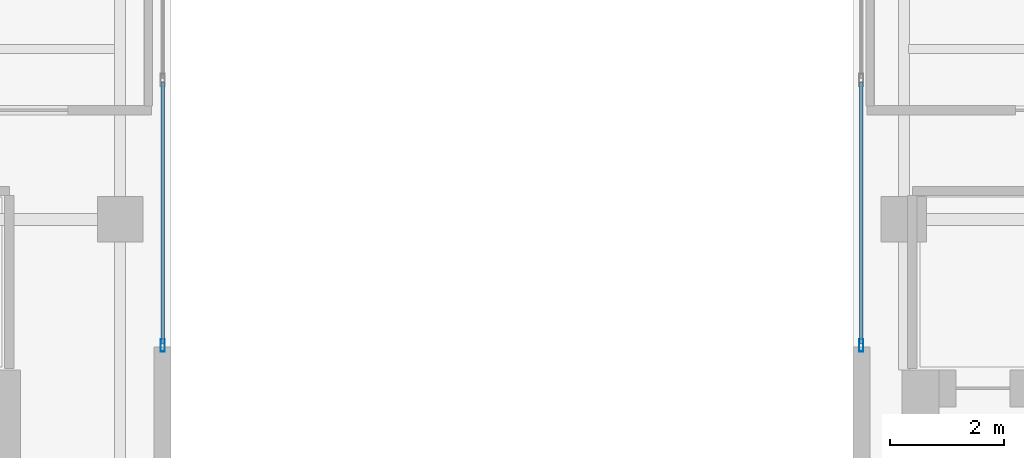
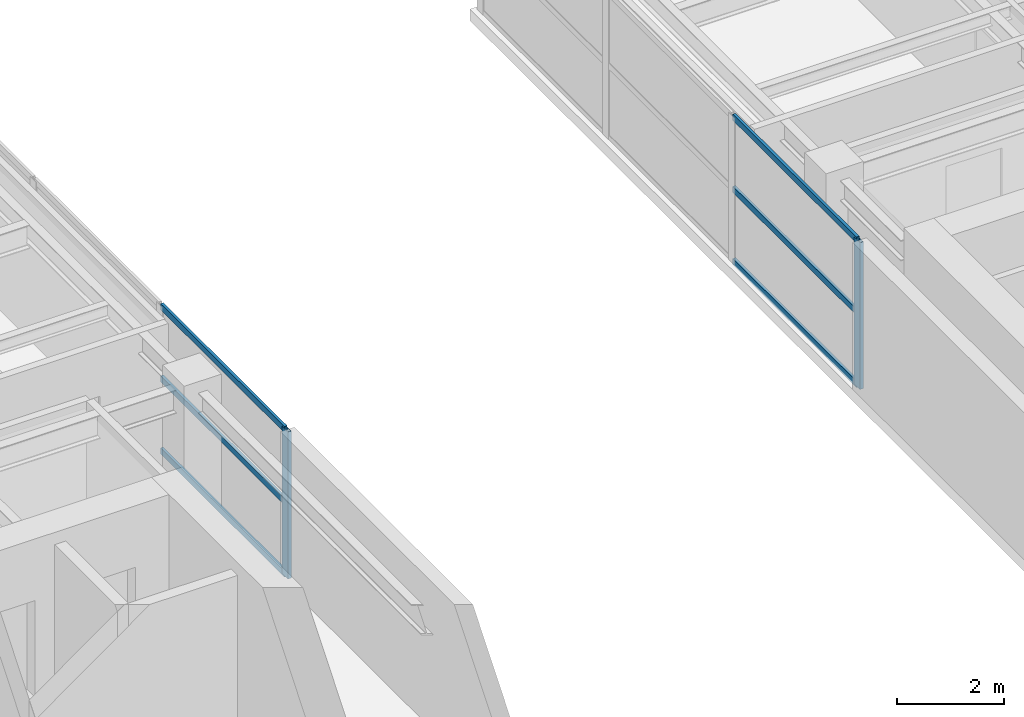
# One storey, part 9 of 22: 8 members, 2 elements without a shape of their own.
"""IFC4 building model written with IfcOpenShell, lengths in metres."""

from ifc_helpers import new_model, si_unit, direction, frame, origin, origin_2d, place, context, subcontext, project, spatial, hollow_rectangle, extrude, source, transform, mapped, material, layer, layer_set, material_profile, profile_set, type_object, element, aggregate, save


model = new_model("IFC4")

# Units and contexts
model_context = context("Model", 3, precision=1e-05, world=origin(), true_north=direction((0.0, 1.0)))
body_context = subcontext(model_context, "Body", "Model", "MODEL_VIEW")
ifc_project = project(units=[si_unit("LENGTHUNIT", "METRE"), si_unit("AREAUNIT", "SQUARE_METRE"), si_unit("VOLUMEUNIT", "CUBIC_METRE"), si_unit("PLANEANGLEUNIT", "RADIAN"), si_unit("MASSUNIT", "GRAM", prefix="KILO")], contexts=[model_context])

# Site, building, storey
site_placement = place(None, origin())
site = spatial("IfcSite", under=ifc_project, at=site_placement, CompositionType="ELEMENT")
building_placement = place(site_placement, origin())
building = spatial("IfcBuilding", under=site, at=building_placement, Name="Khoralis Quay Care Tower", CompositionType="ELEMENT")
storey_placement = place(building_placement, frame((0.0, 0.0, 188.10009765625)))
storey = spatial("IfcBuildingStorey", under=building, at=storey_placement, Name="L49", CompositionType="ELEMENT", Elevation=188.10009765625)

# Curtain wall, members
ifc_material = material(Name="Pale anodised aluminium", Category="aluminium")
ifc_layer = layer(ifc_material, 0.18994140625)
ifc_layer_set = layer_set([ifc_layer], Name="Pale anodised aluminium")
curtain_wall_type = type_object("IfcCurtainWallType", Name="CW-SYS-PORTAL", PredefinedType="NOTDEFINED", material=ifc_layer_set)
curtain_wall_1_placement = place(storey_placement, origin())
curtain_wall_1 = element("IfcCurtainWall", 1, at=curtain_wall_1_placement, inside=storey, type_object=curtain_wall_type, Name="L49 Unitised Curtain Wall CW-VP-L49-P1-N", PredefinedType="NOTDEFINED")
ifc_material_profile_1 = material_profile(ifc_material, hollow_rectangle(XDim=0.06005859375, YDim=0.139892578125, WallThickness=0.00390625, at=origin_2d()), Name="Pale anodised aluminium")
ifc_profile_set_1 = profile_set([ifc_material_profile_1], Name="Pale anodised aluminium")
member_type_1 = type_object("IfcMemberType", Name="CW-TRN-140", PredefinedType="USERDEFINED", material=ifc_profile_set_1)
shared_shape_1 = source(origin(), body_context, "Body", "SweptSolid", [
    extrude(hollow_rectangle(XDim=0.06005859375, YDim=0.139892578125, WallThickness=0.00390625, at=origin_2d()), origin(), (0.0, 0.0, 1.0), 4.60986328125),
])
member_1_placement = place(storey_placement, frame((17.85009765625, 27.81005859375, 0.02978515625), z_axis=(0.0, 1.0, 0.0), x_axis=(-1.0, 0.0, 0.0)))
member_1 = element("IfcMember", 2, at=member_1_placement, type_object=member_type_1, Name="CW4 transom 1.1", ObjectType="TRANSOM", PredefinedType="USERDEFINED", context=body_context, shape_type="MappedRepresentation", body=[
    mapped(shared_shape_1, transform((0.0, 0.0, 0.0), scale=1.0)),
])
member_2_placement = place(storey_placement, frame((17.85009765625, 27.81005859375, 1.669921875), z_axis=(0.0, 1.0, 0.0), x_axis=(-1.0, 0.0, 0.0)))
member_2 = element("IfcMember", 3, at=member_2_placement, type_object=member_type_1, Name="CW4 transom 1.2", ObjectType="TRANSOM", PredefinedType="USERDEFINED", context=body_context, shape_type="MappedRepresentation", body=[
    mapped(shared_shape_1, transform((0.0, 0.0, 0.0), scale=1.0)),
])
member_3_placement = place(storey_placement, frame((17.85009765625, 27.81005859375, 3.309814453125), z_axis=(0.0, 1.0, 0.0), x_axis=(-1.0, 0.0, 0.0)))
member_3 = element("IfcMember", 4, at=member_3_placement, type_object=member_type_1, Name="CW4 transom 1.3", ObjectType="TRANSOM", PredefinedType="USERDEFINED", context=body_context, shape_type="MappedRepresentation", body=[
    mapped(shared_shape_1, transform((0.0, 0.0, 0.0), scale=1.0)),
])

curtain_wall_2_placement = place(storey_placement, origin())
curtain_wall_2 = element("IfcCurtainWall", 5, at=curtain_wall_2_placement, inside=storey, type_object=curtain_wall_type, Name="L49 Unitised Curtain Wall CW-VP-L49-P2-N", PredefinedType="NOTDEFINED")
member_4_placement = place(storey_placement, frame((30.14990234375, 27.81005859375, 0.02978515625), z_axis=(0.0, 1.0, 0.0), x_axis=(-1.0, 0.0, 0.0)))
member_4 = element("IfcMember", 6, at=member_4_placement, type_object=member_type_1, Name="CW4 transom 1.1", ObjectType="TRANSOM", PredefinedType="USERDEFINED", context=body_context, shape_type="MappedRepresentation", body=[
    mapped(shared_shape_1, transform((0.0, 0.0, 0.0), scale=1.0)),
])
member_5_placement = place(storey_placement, frame((30.14990234375, 27.81005859375, 1.669921875), z_axis=(0.0, 1.0, 0.0), x_axis=(-1.0, 0.0, 0.0)))
member_5 = element("IfcMember", 7, at=member_5_placement, type_object=member_type_1, Name="CW4 transom 1.2", ObjectType="TRANSOM", PredefinedType="USERDEFINED", context=body_context, shape_type="MappedRepresentation", body=[
    mapped(shared_shape_1, transform((0.0, 0.0, 0.0), scale=1.0)),
])
member_6_placement = place(storey_placement, frame((30.14990234375, 27.81005859375, 3.309814453125), z_axis=(0.0, 1.0, 0.0), x_axis=(-1.0, 0.0, 0.0)))
member_6 = element("IfcMember", 8, at=member_6_placement, type_object=member_type_1, Name="CW4 transom 1.3", ObjectType="TRANSOM", PredefinedType="USERDEFINED", context=body_context, shape_type="MappedRepresentation", body=[
    mapped(shared_shape_1, transform((0.0, 0.0, 0.0), scale=1.0)),
])

# Member
ifc_material_profile_2 = material_profile(ifc_material, hollow_rectangle(XDim=0.074951171875, YDim=0.219970703125, WallThickness=0.00390625, at=origin_2d()), Name="Pale anodised aluminium")
ifc_profile_set_2 = profile_set([ifc_material_profile_2], Name="Pale anodised aluminium")
member_type_2 = type_object("IfcMemberType", Name="CW-MUL-220", PredefinedType="MULLION", material=ifc_profile_set_2)
shared_shape_2 = source(origin(), body_context, "Body", "SweptSolid", [
    extrude(hollow_rectangle(XDim=0.074951171875, YDim=0.219970703125, WallThickness=0.00390625, at=origin_2d()), origin(), (0.0, 0.0, 1.0), 3.33984375),
])
member_7_placement = place(storey_placement, frame((17.85009765625, 27.780029296875, 0.0), z_axis=(0.0, 0.0, 1.0), x_axis=(-1.0, 0.0, 0.0)))
member_7 = element("IfcMember", 9, at=member_7_placement, type_object=member_type_2, Name="CW4 mullion 1", PredefinedType="MULLION", context=body_context, shape_type="MappedRepresentation", body=[
    mapped(shared_shape_2, transform((0.0, 0.0, 0.0), scale=1.0)),
])

aggregate(curtain_wall_1, [member_7, member_1, member_2, member_3])

member_8_placement = place(storey_placement, frame((30.14990234375, 27.780029296875, 0.0), z_axis=(0.0, 0.0, 1.0), x_axis=(-1.0, 0.0, 0.0)))
member_8 = element("IfcMember", 10, at=member_8_placement, type_object=member_type_2, Name="CW4 mullion 1", PredefinedType="MULLION", context=body_context, shape_type="MappedRepresentation", body=[
    mapped(shared_shape_2, transform((0.0, 0.0, 0.0), scale=1.0)),
])

aggregate(curtain_wall_2, [member_8, member_4, member_5, member_6])

save(model, "model.ifc")
